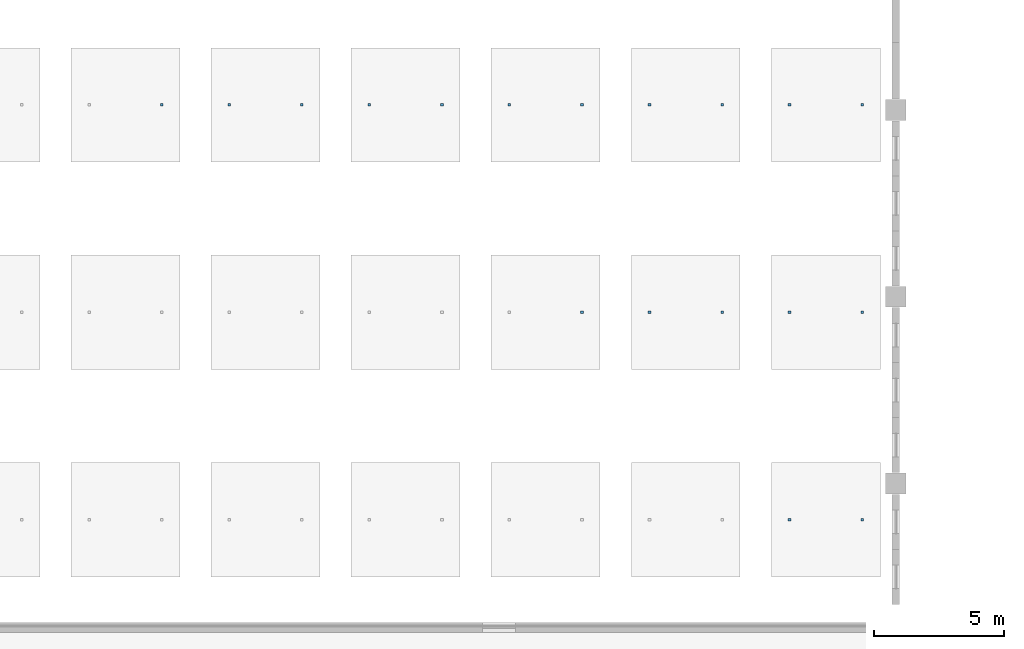
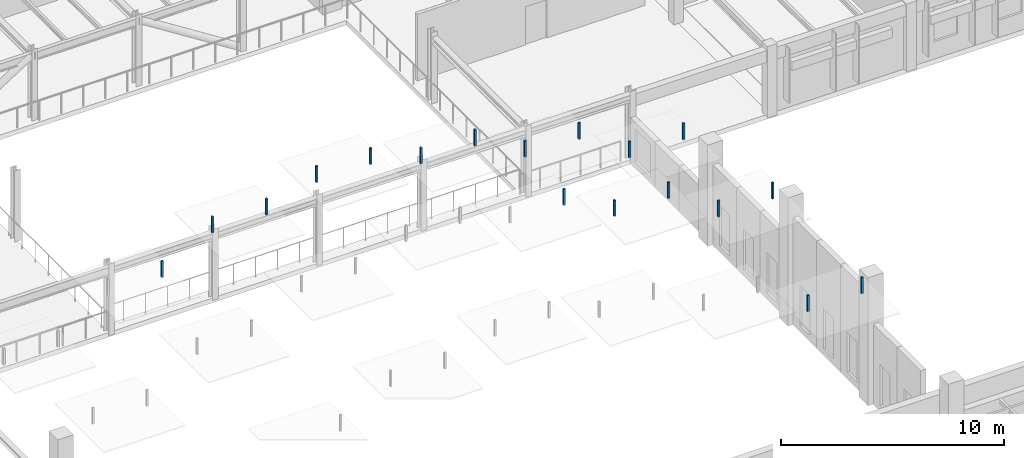
# One storey, part 27 of 44: 18 discrete accessories.
"""IFC4 building model written with IfcOpenShell, lengths in metres."""

from ifc_helpers import new_model, si_unit, direction, frame, origin, origin_2d, place, context, subcontext, project, spatial, rectangle, extrude, material, type_object, element, save


model = new_model("IFC4")

# Units and contexts
model_context = context("Model", 3, precision=1e-05, world=origin(), true_north=direction((0.0, 1.0)))
body_context = subcontext(model_context, "Body", "Model", "MODEL_VIEW")
ifc_project = project(units=[si_unit("LENGTHUNIT", "METRE"), si_unit("AREAUNIT", "SQUARE_METRE"), si_unit("VOLUMEUNIT", "CUBIC_METRE"), si_unit("PLANEANGLEUNIT", "RADIAN"), si_unit("MASSUNIT", "GRAM", prefix="KILO")], contexts=[model_context])

# Site, building, storey
site_placement = place(None, origin())
site = spatial("IfcSite", under=ifc_project, at=site_placement, CompositionType="ELEMENT")
building_placement = place(site_placement, origin())
building = spatial("IfcBuilding", under=site, at=building_placement, Name="Tazoul Stagehouse", CompositionType="ELEMENT")
storey_placement = place(building_placement, frame((0.0, 0.0, 13.199951171875)))
storey = spatial("IfcBuildingStorey", under=building, at=storey_placement, Name="L03", CompositionType="ELEMENT", Elevation=13.199951171875)

# Discrete accessories
ifc_material = material(Name="Austenitic Stainless Steel EN 1.4401", Category="steel")
discrete_accessory_type = type_object("IfcDiscreteAccessoryType", Name="Interior Acoustic Hanger Bracket", PredefinedType="BRACKET", material=ifc_material)
for number, where, z_axis, x_axis, name in (
    (1, (67.10009765625, 80.800048828125, 7.7353515625), (0.0, 0.0, 1.0), (1.0, 0.0, 0.0), "Acoustic Cloud Suspension Hanger 2.3-E"),
    (2, (69.699951171875, 80.800048828125, 9.25634765625), (0.0, 0.0, 1.0), (1.0, 0.0, 0.0), "Acoustic Cloud Suspension Hanger 3.3-W"),
    (3, (72.5, 80.800048828125, 9.25634765625), (0.0, 0.0, 1.0), (1.0, 0.0, 0.0), "Acoustic Cloud Suspension Hanger 3.3-E"),
    (4, (75.10009765625, 80.800048828125, 10.13427734375), (0.0, 0.0, 1.0), (1.0, 0.0, 0.0), "Acoustic Cloud Suspension Hanger 4.3-W"),
    (5, (77.89990234375, 80.800048828125, 10.13427734375), (0.0, 0.0, 1.0), (1.0, 0.0, 0.0), "Acoustic Cloud Suspension Hanger 4.3-E"),
    (6, (83.300048828125, 72.800048828125, 10.861328125), (0.0, 0.0, 1.0), (1.0, 0.0, 0.0), "Acoustic Cloud Suspension Hanger 5.2-E"),
    (7, (80.5, 80.800048828125, 9.25634765625), (0.0, 0.0, 1.0), (1.0, 0.0, 0.0), "Acoustic Cloud Suspension Hanger 5.3-W"),
    (8, (83.300048828125, 80.800048828125, 9.25634765625), (0.0, 0.0, 1.0), (1.0, 0.0, 0.0), "Acoustic Cloud Suspension Hanger 5.3-E"),
    (9, (85.89990234375, 72.800048828125, 9.3408203125), (0.0, 0.0, 1.0), (1.0, 0.0, 0.0), "Acoustic Cloud Suspension Hanger 6.2-W"),
    (10, (88.699951171875, 72.800048828125, 9.3408203125), (0.0, 0.0, 1.0), (1.0, 0.0, 0.0), "Acoustic Cloud Suspension Hanger 6.2-E"),
    (11, (85.89990234375, 80.800048828125, 7.7353515625), (0.0, 0.0, 1.0), (1.0, 0.0, 0.0), "Acoustic Cloud Suspension Hanger 6.3-W"),
    (12, (88.699951171875, 80.800048828125, 7.7353515625), (0.0, 0.0, 1.0), (1.0, 0.0, 0.0), "Acoustic Cloud Suspension Hanger 6.3-E"),
    (13, (91.300048828125, 64.800048828125, 7.0927734375), (0.0, 0.0, 1.0), (1.0, 0.0, 0.0), "Acoustic Cloud Suspension Hanger 7.1-W"),
    (14, (94.10009765625, 64.800048828125, 7.0927734375), (0.0, 0.0, 1.0), (1.0, 0.0, 0.0), "Acoustic Cloud Suspension Hanger 7.1-E"),
    (15, (91.300048828125, 72.800048828125, 7.4208984375), (0.0, 0.0, 1.0), (1.0, 0.0, 0.0), "Acoustic Cloud Suspension Hanger 7.2-W"),
    (16, (94.10009765625, 72.800048828125, 7.4208984375), (0.0, 0.0, 1.0), (1.0, 0.0, 0.0), "Acoustic Cloud Suspension Hanger 7.2-E"),
    (17, (91.300048828125, 80.800048828125, 5.81591796875), (0.0, 0.0, 1.0), (1.0, 0.0, 0.0), "Acoustic Cloud Suspension Hanger 7.3-W"),
    (18, (94.10009765625, 80.800048828125, 5.81591796875), (0.0, 0.0, 1.0), (1.0, 0.0, 0.0), "Acoustic Cloud Suspension Hanger 7.3-E"),
):
    element("IfcDiscreteAccessory", number, at=place(storey_placement, frame(where, z_axis=z_axis, x_axis=x_axis)), inside=storey, type_object=discrete_accessory_type, Name=name, PredefinedType="BRACKET", context=body_context, shape_type="SweptSolid", body=[
        extrude(rectangle(XDim=0.10009765625, YDim=0.10009765625, at=origin_2d()), origin(), (0.0, 0.0, 1.0), 0.889892578125),
    ])

save(model, "model.ifc")
